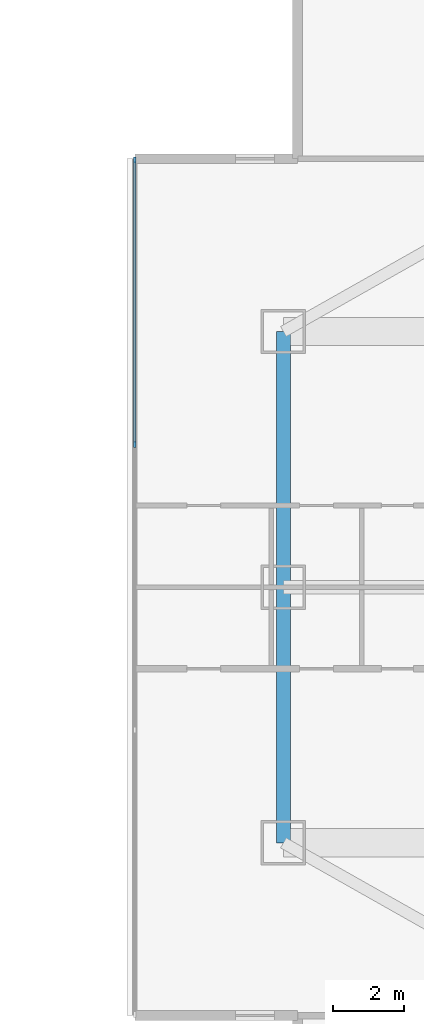
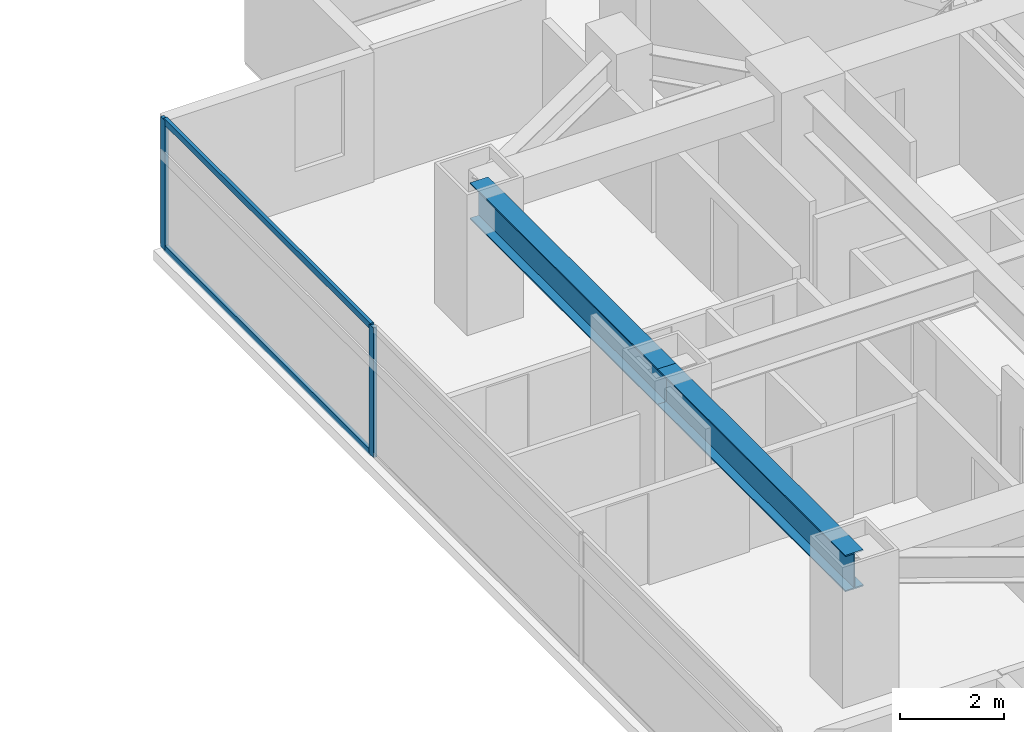
# One storey, part 6 of 26: 4 members, 2 beams, 1 element without a shape of its own.
"""IFC4 building model written with IfcOpenShell, lengths in metres."""

from ifc_helpers import new_model, si_unit, direction, frame, origin, origin_2d, place, context, subcontext, project, spatial, rectangle, i_section, extrude, material, material_profile, profile_set, type_object, element, aggregate, save


model = new_model("IFC4")

# Units and contexts
model_context = context("Model", 3, precision=1e-05, world=origin(), true_north=direction((0.0, 1.0)))
body_context = subcontext(model_context, "Body", "Model", "MODEL_VIEW")
ifc_project = project(units=[si_unit("LENGTHUNIT", "METRE"), si_unit("AREAUNIT", "SQUARE_METRE"), si_unit("VOLUMEUNIT", "CUBIC_METRE"), si_unit("PLANEANGLEUNIT", "RADIAN"), si_unit("MASSUNIT", "GRAM", prefix="KILO")], contexts=[model_context])

# Site, building, storey
site_placement = place(None, origin())
site = spatial("IfcSite", under=ifc_project, at=site_placement, CompositionType="ELEMENT")
building_placement = place(site_placement, origin())
building = spatial("IfcBuilding", under=site, at=building_placement, Name="Mirazonda Arch Towers", CompositionType="ELEMENT")
storey_placement = place(building_placement, frame((0.0, 0.0, 48.800048828125)))
storey = spatial("IfcBuildingStorey", under=building, at=storey_placement, Name="L13", CompositionType="ELEMENT", Elevation=48.800048828125)

# Beams
ifc_material_1 = material(Name="Steel ASTM A992 Grade 50", Category="steel")
ifc_material_profile_1 = material_profile(ifc_material_1, i_section(OverallWidth=0.39990234375, OverallDepth=0.85595703125, WebThickness=0.018310546875, FlangeThickness=0.029296875, at=origin_2d()), Name="W33X201")
ifc_profile_set_1 = profile_set([ifc_material_profile_1], Name="Steel ASTM A992 Grade 50")
beam_type = type_object("IfcBeamType", Name="BM-EXT-W33X201", PredefinedType="USERDEFINED", material=ifc_profile_set_1)
for number, where, z_axis, x_axis, name in (
    (1, (61.0, 20.800048828125, 2.6318359375), (0.0, 1.0, 0.0), (-1.0, 0.0, 0.0), "L13 Floor Beam BM-T2-L13-NS-W-20"),
    (2, (61.0, 28.0, 2.6318359375), (0.0, 1.0, 0.0), (-1.0, 0.0, 0.0), "L13 Floor Beam BM-T2-L13-NS-W-28"),
):
    element("IfcBeam", number, at=place(storey_placement, frame(where, z_axis=z_axis, x_axis=x_axis)), inside=storey, type_object=beam_type, Name=name, ObjectType="GIRDER", PredefinedType="USERDEFINED", context=body_context, shape_type="SweptSolid", body=[
        extrude(i_section(OverallWidth=0.39990234375, OverallDepth=0.85595703125, WebThickness=0.018310546875, FlangeThickness=0.029296875, at=origin_2d()), origin(), (0.0, 0.0, 1.0), 7.199951171875),
    ])

# Curtain wall, members
ifc_material_2 = material(Name="Anodised Aluminium and Low-E Glass", Category="aluminium")
curtain_wall_type = type_object("IfcCurtainWallType", Name="CW-HTL-UNIT", PredefinedType="NOTDEFINED", material=ifc_material_2)
curtain_wall_placement = place(storey_placement, origin())
curtain_wall = element("IfcCurtainWall", 3, at=curtain_wall_placement, inside=storey, type_object=curtain_wall_type, Name="L13 T2 W Facade CW-L13-T2-W", PredefinedType="NOTDEFINED")
ifc_material_3 = material(Name="Anodised Aluminium Alloy", Category="aluminium")
ifc_material_profile_2 = material_profile(ifc_material_3, rectangle(XDim=0.074951171875, YDim=0.1650390625, at=origin_2d()), Name="ALU-MULL-75x165")
ifc_profile_set_2 = profile_set([ifc_material_profile_2], Name="Anodised Aluminium Alloy")
member_type_1 = type_object("IfcMemberType", Name="MULL-CW-HTL-UNIT", PredefinedType="MULLION", material=ifc_profile_set_2)
member_1_placement = place(storey_placement, frame((56.81591796875, 40.02880859375, 0.0), z_axis=(0.0, 0.0, 1.0), x_axis=(1.0, 0.0, 0.0)))
member_1 = element("IfcMember", 4, at=member_1_placement, type_object=member_type_1, Name="CW-112 mullion 1", PredefinedType="MULLION", context=body_context, shape_type="SweptSolid", body=[
    extrude(rectangle(XDim=0.074951171875, YDim=0.1650390625, at=origin_2d()), origin(), (0.0, 0.0, 1.0), 3.0400390625),
])
member_2_placement = place(storey_placement, frame((56.81591796875, 32.022216796875, 0.0), z_axis=(0.0, 0.0, 1.0), x_axis=(1.0, 0.0, 0.0)))
member_2 = element("IfcMember", 5, at=member_2_placement, type_object=member_type_1, Name="CW-112 mullion 2", PredefinedType="MULLION", context=body_context, shape_type="SweptSolid", body=[
    extrude(rectangle(XDim=0.074951171875, YDim=0.1650390625, at=origin_2d()), origin(), (0.0, 0.0, 1.0), 3.0400390625),
])
ifc_material_profile_3 = material_profile(ifc_material_3, rectangle(XDim=0.074951171875, YDim=0.14501953125, at=origin_2d()), Name="ALU-TRAN-75x145")
ifc_profile_set_3 = profile_set([ifc_material_profile_3], Name="Anodised Aluminium Alloy")
member_type_2 = type_object("IfcMemberType", Name="TRAN-CW-HTL-UNIT", PredefinedType="USERDEFINED", material=ifc_profile_set_3)
member_3_placement = place(storey_placement, frame((56.81591796875, 39.991455078125, 0.037353515625), z_axis=(0.0, -1.0, 0.0), x_axis=(1.0, 0.0, 0.0)))
member_3 = element("IfcMember", 6, at=member_3_placement, type_object=member_type_2, Name="CW-112 transom 1.1", ObjectType="TRANSOM", PredefinedType="USERDEFINED", context=body_context, shape_type="SweptSolid", body=[
    extrude(rectangle(XDim=0.074951171875, YDim=0.14501953125, at=origin_2d()), origin(), (0.0, 0.0, 1.0), 7.931884765625),
])
member_4_placement = place(storey_placement, frame((56.81591796875, 39.991455078125, 3.00244140625), z_axis=(0.0, -1.0, 0.0), x_axis=(1.0, 0.0, 0.0)))
member_4 = element("IfcMember", 7, at=member_4_placement, type_object=member_type_2, Name="CW-112 transom 1.2", ObjectType="TRANSOM", PredefinedType="USERDEFINED", context=body_context, shape_type="SweptSolid", body=[
    extrude(rectangle(XDim=0.074951171875, YDim=0.14501953125, at=origin_2d()), origin(), (0.0, 0.0, 1.0), 7.931884765625),
])
aggregate(curtain_wall, [member_1, member_2, member_3, member_4])

save(model, "model.ifc")
